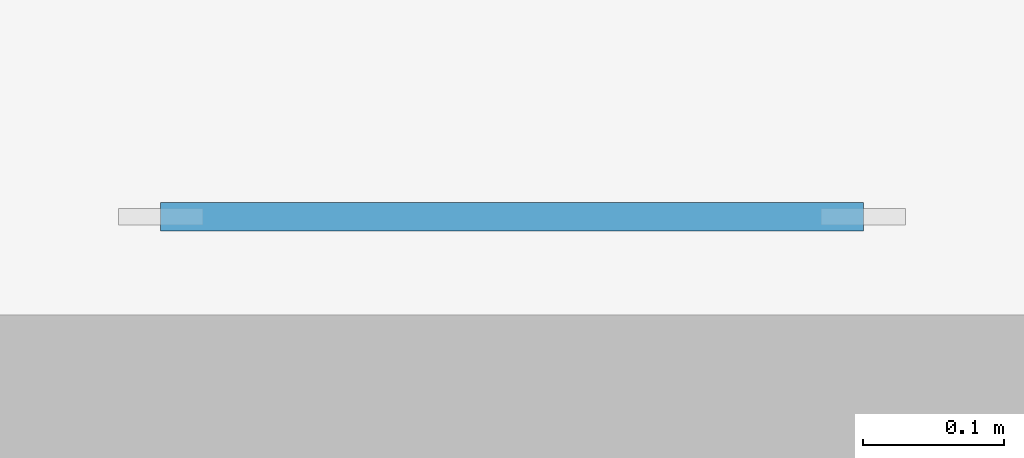
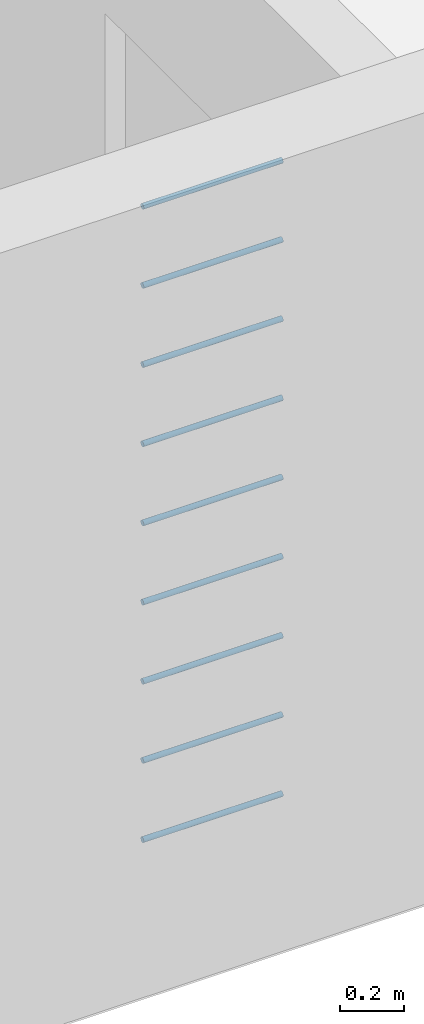
# One storey, part 40 of 122: 9 members.
"""IFC4 building model written with IfcOpenShell, lengths in metres."""

from ifc_helpers import new_model, si_unit, direction, frame, origin, origin_2d, place, context, subcontext, project, spatial, circle, extrude, material, material_profile, profile_set, type_object, element, save


model = new_model("IFC4")

# Units and contexts
model_context = context("Model", 3, precision=1e-05, world=origin(), true_north=direction((0.0, 1.0)))
body_context = subcontext(model_context, "Body", "Model", "MODEL_VIEW")
ifc_project = project(units=[si_unit("LENGTHUNIT", "METRE"), si_unit("AREAUNIT", "SQUARE_METRE"), si_unit("VOLUMEUNIT", "CUBIC_METRE"), si_unit("PLANEANGLEUNIT", "RADIAN"), si_unit("MASSUNIT", "GRAM", prefix="KILO")], contexts=[model_context])

# Site, building, storey
site_placement = place(None, origin())
site = spatial("IfcSite", under=ifc_project, at=site_placement, CompositionType="ELEMENT")
building_placement = place(site_placement, origin())
building = spatial("IfcBuilding", under=site, at=building_placement, Name="Ridgestep Commons", CompositionType="ELEMENT")
storey_placement = place(building_placement, frame((0.0, 0.0, 3.0)))
storey = spatial("IfcBuildingStorey", under=building, at=storey_placement, Name="L01", CompositionType="ELEMENT", Elevation=3.0)

# Members
ifc_material = material(Name="Structural steel S355JR", Category="steel")
ifc_material_profile = material_profile(ifc_material, circle(Radius=0.010009765625, at=origin_2d()), Name="Ladder rung 20")
ifc_profile_set = profile_set([ifc_material_profile], Name="Structural steel S355JR")
member_type = type_object("IfcMemberType", Name="Ladder rung 20", PredefinedType="USERDEFINED", material=ifc_profile_set)
for number, where, z_axis, x_axis, name in (
    (1, (102.300048828125, 37.820068359375, 0.300048828125), (-1.0, 0.0, 0.0), (0.0, -1.0, 0.0), "Fixed ladder rung"),
    (2, (102.300048828125, 37.820068359375, 0.60009765625), (-1.0, 0.0, 0.0), (0.0, -1.0, 0.0), "Fixed ladder rung"),
    (3, (102.300048828125, 37.820068359375, 0.89990234375), (-1.0, 0.0, 0.0), (0.0, -1.0, 0.0), "Fixed ladder rung"),
    (4, (102.300048828125, 37.820068359375, 1.199951171875), (-1.0, 0.0, 0.0), (0.0, -1.0, 0.0), "Fixed ladder rung"),
    (5, (102.300048828125, 37.820068359375, 1.5), (-1.0, 0.0, 0.0), (0.0, -1.0, 0.0), "Fixed ladder rung"),
    (6, (102.300048828125, 37.820068359375, 1.800048828125), (-1.0, 0.0, 0.0), (0.0, -1.0, 0.0), "Fixed ladder rung"),
    (7, (102.300048828125, 37.820068359375, 2.10009765625), (-1.0, 0.0, 0.0), (0.0, -1.0, 0.0), "Fixed ladder rung"),
    (8, (102.300048828125, 37.820068359375, 2.39990234375), (-1.0, 0.0, 0.0), (0.0, -1.0, 0.0), "Fixed ladder rung"),
    (9, (102.300048828125, 37.820068359375, 2.699951171875), (-1.0, 0.0, 0.0), (0.0, -1.0, 0.0), "Fixed ladder rung"),
):
    element("IfcMember", number, at=place(storey_placement, frame(where, z_axis=z_axis, x_axis=x_axis)), inside=storey, type_object=member_type, Name=name, ObjectType="Ladder rung", PredefinedType="USERDEFINED", context=body_context, shape_type="SweptSolid", body=[
        extrude(circle(Radius=0.010009765625, at=origin_2d()), origin(), (0.0, 0.0, 1.0), 0.5),
    ])

save(model, "model.ifc")
